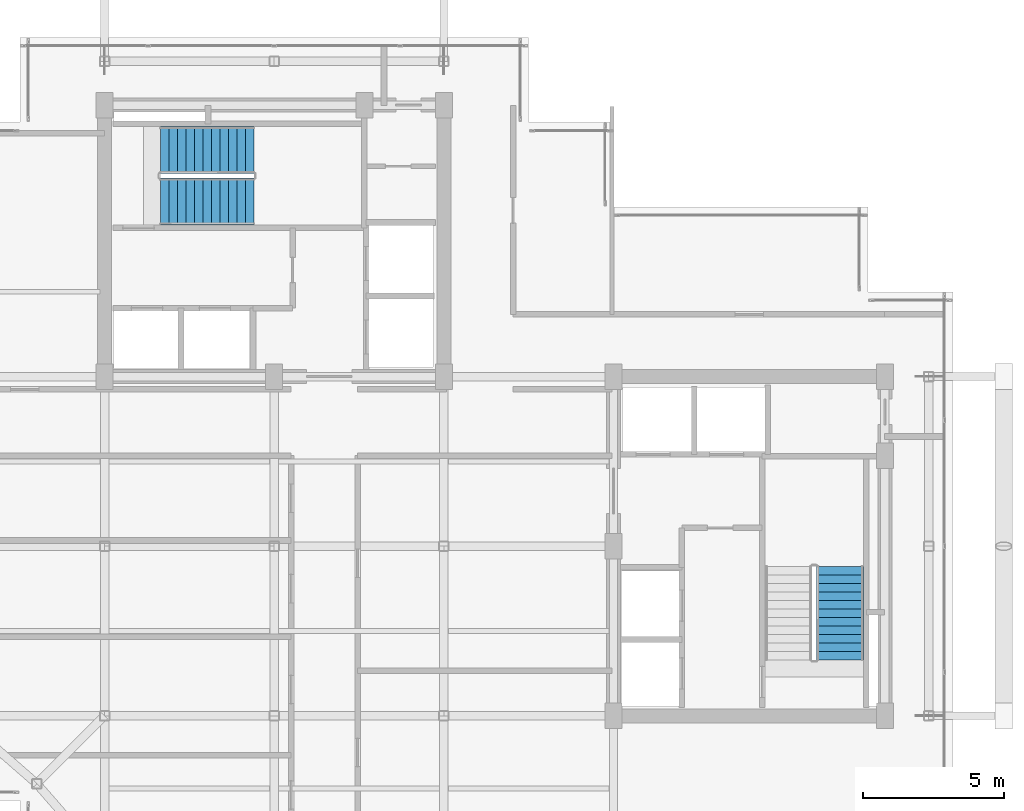
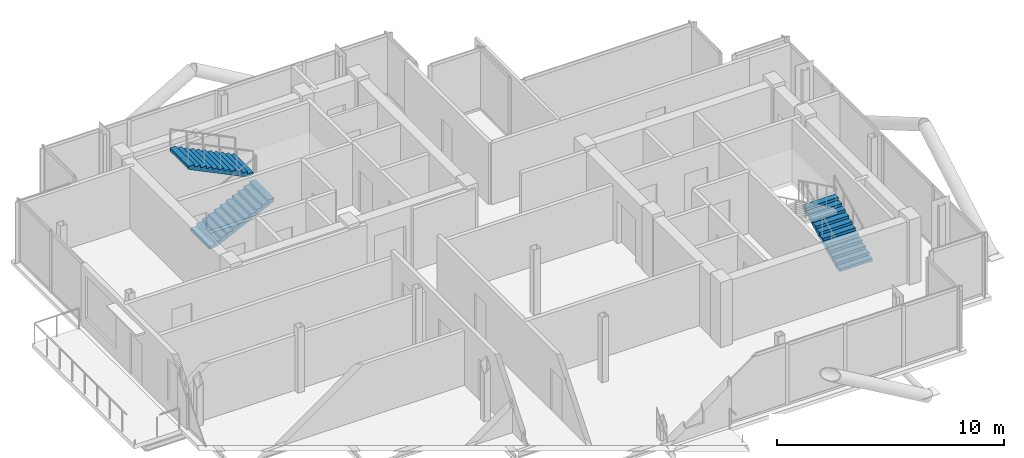
# One storey, part 16 of 18: 3 stair flights, 2 elements without a shape of their own.
"""IFC4 building model written with IfcOpenShell, lengths in metres."""

from ifc_helpers import new_model, si_unit, direction, frame, origin, place, context, subcontext, project, spatial, polyline, outline, extrude, material, type_object, element, aggregate, save


model = new_model("IFC4")

# Units and contexts
model_context = context("Model", 3, precision=1e-05, world=origin(), true_north=direction((0.0, 1.0)))
body_context = subcontext(model_context, "Body", "Model", "MODEL_VIEW")
ifc_project = project(units=[si_unit("LENGTHUNIT", "METRE"), si_unit("AREAUNIT", "SQUARE_METRE"), si_unit("VOLUMEUNIT", "CUBIC_METRE"), si_unit("PLANEANGLEUNIT", "RADIAN"), si_unit("MASSUNIT", "GRAM", prefix="KILO"), si_unit("THERMODYNAMICTEMPERATUREUNIT", "KELVIN"), si_unit("POWERUNIT", "WATT")], contexts=[model_context])

# Site, building, storey
site_placement = place(None, origin())
site = spatial("IfcSite", under=ifc_project, at=site_placement, CompositionType="ELEMENT")
building_placement = place(site_placement, origin())
building = spatial("IfcBuilding", under=site, at=building_placement, Name="Svarakhadi Broadcast Tower", CompositionType="ELEMENT")
storey_placement = place(building_placement, frame((0.0, 0.0, 278.199951171875)))
storey = spatial("IfcBuildingStorey", under=building, at=storey_placement, Name="L70", CompositionType="ELEMENT", Elevation=278.199951171875)

# Stair, stair flights
ifc_material = material(Name="Concrete C40/50 (IS 456 M50)", Category="concrete")
stair_type = type_object("IfcStairType", Name="Stair_Exit_Core", PredefinedType="HALF_TURN_STAIR", material=ifc_material)
stair_1_placement = place(storey_placement, origin())
stair_1 = element("IfcStair", 1, at=stair_1_placement, inside=storey, type_object=stair_type, Name="L70 West Core Protected Exit Stair ST-01", PredefinedType="HALF_TURN_STAIR")
stair_flight_type = type_object("IfcStairFlightType", Name="Flight_RC_1680", PredefinedType="STRAIGHT", material=ifc_material)
stair_flight_1_placement = place(storey_placement, frame((7.97998046875, 24.18994140625, 0.0), z_axis=(0.0, 0.0, 1.0), x_axis=(1.0, 0.0, 0.0)))
stair_flight_1 = element("IfcStairFlight", 2, at=stair_flight_1_placement, type_object=stair_flight_type, Name="ST-01 flight 1", NumberOfRisers=12, NumberOfTreads=11, PredefinedType="STRAIGHT", RiserHeight=0.145833333, TreadLength=0.3, context=body_context, shape_type="SweptSolid", body=[
    extrude(outline(polyline([(0.0, 0.0), (0.0, 0.145751953125), (0.300048828125, 0.145751953125), (0.300048828125, 0.291748046875), (0.60009765625, 0.291748046875), (0.60009765625, 0.4375), (0.89990234375, 0.4375), (0.89990234375, 0.583251953125), (1.199951171875, 0.583251953125), (1.199951171875, 0.729248046875), (1.5, 0.729248046875), (1.5, 0.875), (1.800048828125, 0.875), (1.800048828125, 1.020751953125), (2.10009765625, 1.020751953125), (2.10009765625, 1.166748046875), (2.39990234375, 1.166748046875), (2.39990234375, 1.3125), (2.699951171875, 1.3125), (2.699951171875, 1.458251953125), (3.0, 1.458251953125), (3.0, 1.604248046875), (3.300048828125, 1.604248046875), (3.300048828125, 1.75), (3.300048828125, 1.4375), (0.3427734375, 0.0), (0.0, 0.0)])), frame((0.0, 0.830078125, 0.0), z_axis=(0.0, -1.0, 0.0), x_axis=(1.0, 0.0, 0.0)), (0.0, 0.0, 1.0), 1.659912109375),
])
stair_flight_2_placement = place(storey_placement, frame((11.280029296875, 26.010009765625, 1.75), z_axis=(0.0, 0.0, 1.0), x_axis=(-1.0, 0.0, 0.0)))
stair_flight_2 = element("IfcStairFlight", 3, at=stair_flight_2_placement, type_object=stair_flight_type, Name="ST-01 flight 2", NumberOfRisers=12, NumberOfTreads=11, PredefinedType="STRAIGHT", RiserHeight=0.145833333, TreadLength=0.3, context=body_context, shape_type="SweptSolid", body=[
    extrude(outline(polyline([(0.0, 0.0), (0.0, 0.145751953125), (0.300048828125, 0.145751953125), (0.300048828125, 0.291748046875), (0.60009765625, 0.291748046875), (0.60009765625, 0.4375), (0.89990234375, 0.4375), (0.89990234375, 0.583251953125), (1.199951171875, 0.583251953125), (1.199951171875, 0.729248046875), (1.5, 0.729248046875), (1.5, 0.875), (1.800048828125, 0.875), (1.800048828125, 1.020751953125), (2.10009765625, 1.020751953125), (2.10009765625, 1.166748046875), (2.39990234375, 1.166748046875), (2.39990234375, 1.3125), (2.699951171875, 1.3125), (2.699951171875, 1.458251953125), (3.0, 1.458251953125), (3.0, 1.604248046875), (3.300048828125, 1.604248046875), (3.300048828125, 1.75), (3.300048828125, 1.4375), (0.3427734375, 0.0), (0.0, 0.0)])), frame((0.0, 0.830078125, 0.0), z_axis=(0.0, -1.0, 0.0), x_axis=(1.0, 0.0, 0.0)), (0.0, 0.0, 1.0), 1.659912109375),
])
aggregate(stair_1, [stair_flight_1, stair_flight_2])

# Stair, stair flight
stair_2_placement = place(storey_placement, origin())
stair_2 = element("IfcStair", 4, at=stair_2_placement, inside=storey, type_object=stair_type, Name="L70 East Core Protected Exit Stair ST-02", PredefinedType="HALF_TURN_STAIR")
stair_flight_3_placement = place(storey_placement, frame((32.010009765625, 7.97998046875, 0.0), z_axis=(0.0, 0.0, 1.0), x_axis=(0.0, 1.0, 0.0)))
stair_flight_3 = element("IfcStairFlight", 5, at=stair_flight_3_placement, type_object=stair_flight_type, Name="ST-02 flight 1", NumberOfRisers=12, NumberOfTreads=11, PredefinedType="STRAIGHT", RiserHeight=0.145833333, TreadLength=0.3, context=body_context, shape_type="SweptSolid", body=[
    extrude(outline(polyline([(0.0, 0.0), (0.0, 0.145751953125), (0.300048828125, 0.145751953125), (0.300048828125, 0.291748046875), (0.60009765625, 0.291748046875), (0.60009765625, 0.4375), (0.89990234375, 0.4375), (0.89990234375, 0.583251953125), (1.199951171875, 0.583251953125), (1.199951171875, 0.729248046875), (1.5, 0.729248046875), (1.5, 0.875), (1.800048828125, 0.875), (1.800048828125, 1.020751953125), (2.10009765625, 1.020751953125), (2.10009765625, 1.166748046875), (2.39990234375, 1.166748046875), (2.39990234375, 1.3125), (2.699951171875, 1.3125), (2.699951171875, 1.458251953125), (3.0, 1.458251953125), (3.0, 1.604248046875), (3.300048828125, 1.604248046875), (3.300048828125, 1.75), (3.300048828125, 1.4375), (0.3427734375, 0.0), (0.0, 0.0)])), frame((0.0, 0.830078125, 0.0), z_axis=(0.0, -1.0, 0.0), x_axis=(1.0, 0.0, 0.0)), (0.0, 0.0, 1.0), 1.659912109375),
])
aggregate(stair_2, [stair_flight_3])

save(model, "model.ifc")
